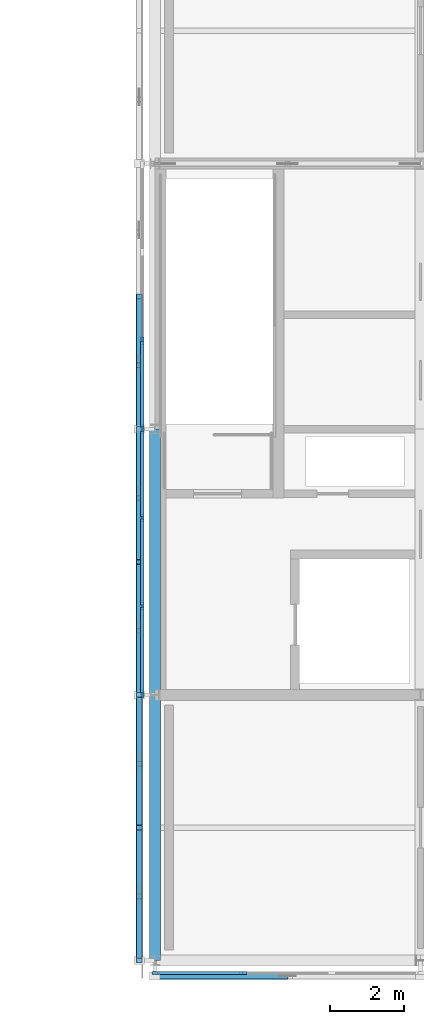
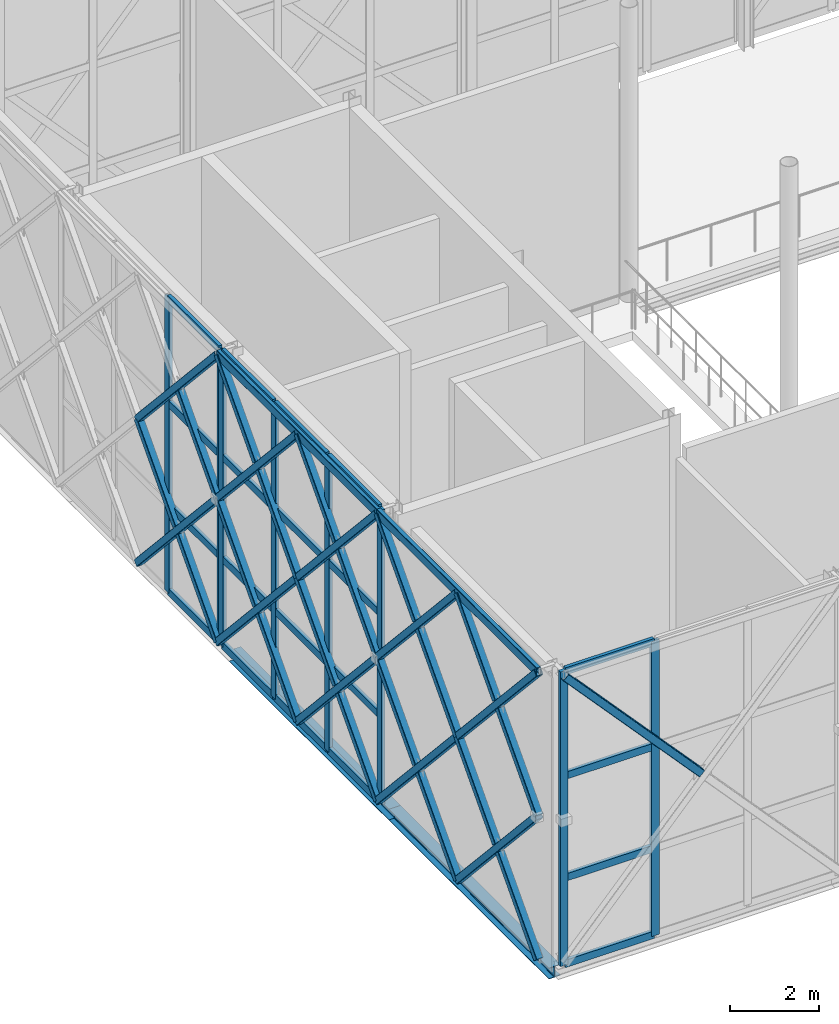
# One storey, part 8 of 76: 60 members, 2 beams, 3 elements without a shape of their own.
"""IFC4 building model written with IfcOpenShell, lengths in metres."""

from ifc_helpers import new_model, si_unit, direction, frame, origin, origin_2d, place, context, subcontext, project, spatial, rectangle, hollow_rectangle, i_section, extrude, material, material_profile, profile_set, type_object, element, aggregate, save


model = new_model("IFC4")

# Units and contexts
model_context = context("Model", 3, precision=1e-05, world=origin(), true_north=direction((0.0, 1.0)))
body_context = subcontext(model_context, "Body", "Model", "MODEL_VIEW")
ifc_project = project(units=[si_unit("LENGTHUNIT", "METRE"), si_unit("AREAUNIT", "SQUARE_METRE"), si_unit("VOLUMEUNIT", "CUBIC_METRE"), si_unit("PLANEANGLEUNIT", "RADIAN"), si_unit("MASSUNIT", "GRAM", prefix="KILO")], contexts=[model_context])

# Site, building, storey
site_placement = place(None, origin())
site = spatial("IfcSite", under=ifc_project, at=site_placement, CompositionType="ELEMENT")
building_placement = place(site_placement, origin())
building = spatial("IfcBuilding", under=site, at=building_placement, Name="Zlatovets Crest Museum", CompositionType="ELEMENT")
storey_placement = place(building_placement, frame((0.0, 0.0, 17.10009765625)))
storey = spatial("IfcBuildingStorey", under=building, at=storey_placement, Name="L04", CompositionType="ELEMENT", Elevation=17.10009765625)

# Beams
ifc_material_1 = material(Name="Structural steel S355J2", Category="steel")
ifc_material_profile_1 = material_profile(ifc_material_1, i_section(OverallWidth=0.300048828125, OverallDepth=0.31005859375, WebThickness=0.009033203125, FlangeThickness=0.015380859375, FilletRadius=0.027099609375, at=origin_2d()), Name="HEA 320")
ifc_profile_set_1 = profile_set([ifc_material_profile_1], Name="Structural steel S355J2")
beam_type = type_object("IfcBeamType", Name="Beam_B-04", PredefinedType="BEAM", material=ifc_profile_set_1)
for number, where, z_axis, x_axis, name in (
    (1, (57.60009765625, 0.0, -0.39501953125), (0.0, 1.0, 0.0), (-1.0, 0.0, 0.0), "V2 L04 Grid Beam B-04"),
    (2, (57.60009765625, 7.199951171875, -0.39501953125), (0.0, 1.0, 0.0), (-1.0, 0.0, 0.0), "V2 L04 Grid Beam B-04"),
):
    element("IfcBeam", number, at=place(storey_placement, frame(where, z_axis=z_axis, x_axis=x_axis)), inside=storey, type_object=beam_type, Name=name, PredefinedType="BEAM", context=body_context, shape_type="SweptSolid", body=[
        extrude(i_section(OverallWidth=0.300048828125, OverallDepth=0.31005859375, WebThickness=0.009033203125, FlangeThickness=0.015380859375, FilletRadius=0.027099609375, at=origin_2d()), origin(), (0.0, 0.0, 1.0), 7.199951171875),
    ])

# Curtain wall, members
ifc_material_2 = material(Name="Bronze-anodised aluminium and low-E triple glass", Category="aluminium")
curtain_wall_type_1 = type_object("IfcCurtainWallType", Name="CW_CW-V2-L04-M0", PredefinedType="NOTDEFINED", material=ifc_material_2)
curtain_wall_1_placement = place(storey_placement, origin())
curtain_wall_1 = element("IfcCurtainWall", 3, at=curtain_wall_1_placement, inside=storey, type_object=curtain_wall_type_1, Name="V2 L04 Secession Foyer Clear Curtain Wall", PredefinedType="NOTDEFINED")
ifc_material_3 = material(Name="Bronze-anodised aluminium EN AW-6060", Category="aluminium")
ifc_material_profile_2 = material_profile(ifc_material_3, rectangle(XDim=0.090087890625, YDim=0.199951171875, at=origin_2d()), Name="ALU 90x200")
ifc_profile_set_2 = profile_set([ifc_material_profile_2], Name="Bronze-anodised aluminium EN AW-6060")
member_type_1 = type_object("IfcMemberType", Name="CWMull_M2", PredefinedType="MULLION", material=ifc_profile_set_2)
member_1_placement = place(storey_placement, frame((57.6298828125, -0.340087890625, 0.0), z_axis=(0.0, 0.0, 1.0), x_axis=(0.0, 1.0, 0.0)))
member_1 = element("IfcMember", 4, at=member_1_placement, type_object=member_type_1, Name="CW-V2-L04-M0 mullion 1", PredefinedType="MULLION", context=body_context, shape_type="SweptSolid", body=[
    extrude(rectangle(XDim=0.090087890625, YDim=0.199951171875, at=origin_2d()), origin(), (0.0, 0.0, 1.0), 8.099853515625),
])
member_2_placement = place(storey_placement, frame((60.0, -0.340087890625, 0.0), z_axis=(0.0, 0.0, 1.0), x_axis=(0.0, 1.0, 0.0)))
member_2 = element("IfcMember", 5, at=member_2_placement, type_object=member_type_1, Name="CW-V2-L04-M0 mullion 2", PredefinedType="MULLION", context=body_context, shape_type="SweptSolid", body=[
    extrude(rectangle(XDim=0.090087890625, YDim=0.199951171875, at=origin_2d()), origin(), (0.0, 0.0, 1.0), 8.099853515625),
])

curtain_wall_type_2 = type_object("IfcCurtainWallType", Name="CW_CW-V2-L04-M3", PredefinedType="NOTDEFINED", material=ifc_material_2)
curtain_wall_2_placement = place(storey_placement, origin())
curtain_wall_2 = element("IfcCurtainWall", 6, at=curtain_wall_2_placement, inside=storey, type_object=curtain_wall_type_2, Name="V2 L04 Expressed Core Glazed Facade", PredefinedType="NOTDEFINED")
member_3_placement = place(storey_placement, frame((57.260009765625, 16.800048828125, 0.0), z_axis=(0.0, 0.0, 1.0), x_axis=(1.0, 0.0, 0.0)))
member_3 = element("IfcMember", 7, at=member_3_placement, type_object=member_type_1, Name="CW-V2-L04-M3 mullion 3", PredefinedType="MULLION", context=body_context, shape_type="SweptSolid", body=[
    extrude(rectangle(XDim=0.090087890625, YDim=0.199951171875, at=origin_2d()), origin(), (0.0, 0.0, 1.0), 8.099853515625),
])
member_4_placement = place(storey_placement, frame((57.260009765625, 14.429931640625, 0.0), z_axis=(0.0, 0.0, 1.0), x_axis=(1.0, 0.0, 0.0)))
member_4 = element("IfcMember", 8, at=member_4_placement, type_object=member_type_1, Name="CW-V2-L04-M3 mullion 4", PredefinedType="MULLION", context=body_context, shape_type="SweptSolid", body=[
    extrude(rectangle(XDim=0.090087890625, YDim=0.199951171875, at=origin_2d()), origin(), (0.0, 0.0, 1.0), 8.099853515625),
])

curtain_wall_3_placement = place(storey_placement, origin())
curtain_wall_3 = element("IfcCurtainWall", 9, at=curtain_wall_3_placement, inside=storey, type_object=curtain_wall_type_1, Name="V2 L04 Expressed Core Glazed Facade", PredefinedType="NOTDEFINED")
member_5_placement = place(storey_placement, frame((57.260009765625, 14.3701171875, 0.0), z_axis=(0.0, 0.0, 1.0), x_axis=(1.0, 0.0, 0.0)))
member_5 = element("IfcMember", 10, at=member_5_placement, type_object=member_type_1, Name="CW-V2-L04-M0 mullion 1", PredefinedType="MULLION", context=body_context, shape_type="SweptSolid", body=[
    extrude(rectangle(XDim=0.090087890625, YDim=0.199951171875, at=origin_2d()), origin(), (0.0, 0.0, 1.0), 8.099853515625),
])
member_6_placement = place(storey_placement, frame((57.260009765625, 12.0, 0.0), z_axis=(0.0, 0.0, 1.0), x_axis=(1.0, 0.0, 0.0)))
member_6 = element("IfcMember", 11, at=member_6_placement, type_object=member_type_1, Name="CW-V2-L04-M0 mullion 2", PredefinedType="MULLION", context=body_context, shape_type="SweptSolid", body=[
    extrude(rectangle(XDim=0.090087890625, YDim=0.199951171875, at=origin_2d()), origin(), (0.0, 0.0, 1.0), 8.099853515625),
])
member_7_placement = place(storey_placement, frame((57.260009765625, 9.60009765625, 0.0), z_axis=(0.0, 0.0, 1.0), x_axis=(1.0, 0.0, 0.0)))
member_7 = element("IfcMember", 12, at=member_7_placement, type_object=member_type_1, Name="CW-V2-L04-M0 mullion 3", PredefinedType="MULLION", context=body_context, shape_type="SweptSolid", body=[
    extrude(rectangle(XDim=0.090087890625, YDim=0.199951171875, at=origin_2d()), origin(), (0.0, 0.0, 1.0), 8.099853515625),
])
member_8_placement = place(storey_placement, frame((57.260009765625, 7.22998046875, 0.0), z_axis=(0.0, 0.0, 1.0), x_axis=(1.0, 0.0, 0.0)))
member_8 = element("IfcMember", 13, at=member_8_placement, type_object=member_type_1, Name="CW-V2-L04-M0 mullion 4", PredefinedType="MULLION", context=body_context, shape_type="SweptSolid", body=[
    extrude(rectangle(XDim=0.090087890625, YDim=0.199951171875, at=origin_2d()), origin(), (0.0, 0.0, 1.0), 8.099853515625),
])

# Member
ifc_material_profile_3 = material_profile(ifc_material_3, rectangle(XDim=0.090087890625, YDim=0.199951171875, at=origin_2d()), Name="ALU 90x200")
ifc_profile_set_3 = profile_set([ifc_material_profile_3], Name="Bronze-anodised aluminium EN AW-6060")
member_type_2 = type_object("IfcMemberType", Name="CWTrans_T2", PredefinedType="USERDEFINED", material=ifc_profile_set_3)
member_9_placement = place(storey_placement, frame((57.659912109375, -0.340087890625, 0.02978515625), z_axis=(1.0, 0.0, 0.0), x_axis=(0.0, 1.0, 0.0)))
member_9 = element("IfcMember", 14, at=member_9_placement, type_object=member_type_2, Name="CW-V2-L04-M0 transom 1.1", ObjectType="TRANSOM", PredefinedType="USERDEFINED", context=body_context, shape_type="SweptSolid", body=[
    extrude(rectangle(XDim=0.090087890625, YDim=0.199951171875, at=origin_2d()), origin(), (0.0, 0.0, 1.0), 2.31005859375),
])

member_10_placement = place(storey_placement, frame((57.659912109375, -0.340087890625, 2.39990234375), z_axis=(1.0, 0.0, 0.0), x_axis=(0.0, 1.0, 0.0)))
member_10 = element("IfcMember", 15, at=member_10_placement, type_object=member_type_2, Name="CW-V2-L04-M0 transom 1.2", ObjectType="TRANSOM", PredefinedType="USERDEFINED", context=body_context, shape_type="SweptSolid", body=[
    extrude(rectangle(XDim=0.090087890625, YDim=0.199951171875, at=origin_2d()), origin(), (0.0, 0.0, 1.0), 2.31005859375),
])

member_11_placement = place(storey_placement, frame((57.659912109375, -0.340087890625, 5.199951171875), z_axis=(1.0, 0.0, 0.0), x_axis=(0.0, 1.0, 0.0)))
member_11 = element("IfcMember", 16, at=member_11_placement, type_object=member_type_2, Name="CW-V2-L04-M0 transom 1.3", ObjectType="TRANSOM", PredefinedType="USERDEFINED", context=body_context, shape_type="SweptSolid", body=[
    extrude(rectangle(XDim=0.090087890625, YDim=0.199951171875, at=origin_2d()), origin(), (0.0, 0.0, 1.0), 2.31005859375),
])

member_12_placement = place(storey_placement, frame((57.659912109375, -0.340087890625, 8.06982421875), z_axis=(1.0, 0.0, 0.0), x_axis=(0.0, 1.0, 0.0)))
member_12 = element("IfcMember", 17, at=member_12_placement, type_object=member_type_2, Name="CW-V2-L04-M0 transom 1.4", ObjectType="TRANSOM", PredefinedType="USERDEFINED", context=body_context, shape_type="SweptSolid", body=[
    extrude(rectangle(XDim=0.090087890625, YDim=0.199951171875, at=origin_2d()), origin(), (0.0, 0.0, 1.0), 2.31005859375),
])

aggregate(curtain_wall_1, [member_1, member_2, member_9, member_10, member_11, member_12])

member_13_placement = place(storey_placement, frame((57.260009765625, 16.77001953125, 0.02978515625), z_axis=(0.0, -1.0, 0.0), x_axis=(1.0, 0.0, 0.0)))
member_13 = element("IfcMember", 18, at=member_13_placement, type_object=member_type_2, Name="CW-V2-L04-M3 transom 3.1", ObjectType="TRANSOM", PredefinedType="USERDEFINED", context=body_context, shape_type="SweptSolid", body=[
    extrude(rectangle(XDim=0.090087890625, YDim=0.199951171875, at=origin_2d()), origin(), (0.0, 0.0, 1.0), 2.31005859375),
])

member_14_placement = place(storey_placement, frame((57.260009765625, 16.77001953125, 2.39990234375), z_axis=(0.0, -1.0, 0.0), x_axis=(1.0, 0.0, 0.0)))
member_14 = element("IfcMember", 19, at=member_14_placement, type_object=member_type_2, Name="CW-V2-L04-M3 transom 3.2", ObjectType="TRANSOM", PredefinedType="USERDEFINED", context=body_context, shape_type="SweptSolid", body=[
    extrude(rectangle(XDim=0.090087890625, YDim=0.199951171875, at=origin_2d()), origin(), (0.0, 0.0, 1.0), 2.31005859375),
])

member_15_placement = place(storey_placement, frame((57.260009765625, 16.77001953125, 5.199951171875), z_axis=(0.0, -1.0, 0.0), x_axis=(1.0, 0.0, 0.0)))
member_15 = element("IfcMember", 20, at=member_15_placement, type_object=member_type_2, Name="CW-V2-L04-M3 transom 3.3", ObjectType="TRANSOM", PredefinedType="USERDEFINED", context=body_context, shape_type="SweptSolid", body=[
    extrude(rectangle(XDim=0.090087890625, YDim=0.199951171875, at=origin_2d()), origin(), (0.0, 0.0, 1.0), 2.31005859375),
])

member_16_placement = place(storey_placement, frame((57.260009765625, 16.77001953125, 8.06982421875), z_axis=(0.0, -1.0, 0.0), x_axis=(1.0, 0.0, 0.0)))
member_16 = element("IfcMember", 21, at=member_16_placement, type_object=member_type_2, Name="CW-V2-L04-M3 transom 3.4", ObjectType="TRANSOM", PredefinedType="USERDEFINED", context=body_context, shape_type="SweptSolid", body=[
    extrude(rectangle(XDim=0.090087890625, YDim=0.199951171875, at=origin_2d()), origin(), (0.0, 0.0, 1.0), 2.31005859375),
])

aggregate(curtain_wall_2, [member_3, member_4, member_13, member_14, member_15, member_16])

member_17_placement = place(storey_placement, frame((57.260009765625, 14.340087890625, 0.02978515625), z_axis=(0.0, -1.0, 0.0), x_axis=(1.0, 0.0, 0.0)))
member_17 = element("IfcMember", 22, at=member_17_placement, type_object=member_type_2, Name="CW-V2-L04-M0 transom 1.1", ObjectType="TRANSOM", PredefinedType="USERDEFINED", context=body_context, shape_type="SweptSolid", body=[
    extrude(rectangle(XDim=0.090087890625, YDim=0.199951171875, at=origin_2d()), origin(), (0.0, 0.0, 1.0), 2.31005859375),
])

member_18_placement = place(storey_placement, frame((57.260009765625, 14.340087890625, 2.39990234375), z_axis=(0.0, -1.0, 0.0), x_axis=(1.0, 0.0, 0.0)))
member_18 = element("IfcMember", 23, at=member_18_placement, type_object=member_type_2, Name="CW-V2-L04-M0 transom 1.2", ObjectType="TRANSOM", PredefinedType="USERDEFINED", context=body_context, shape_type="SweptSolid", body=[
    extrude(rectangle(XDim=0.090087890625, YDim=0.199951171875, at=origin_2d()), origin(), (0.0, 0.0, 1.0), 2.31005859375),
])

member_19_placement = place(storey_placement, frame((57.260009765625, 14.340087890625, 5.199951171875), z_axis=(0.0, -1.0, 0.0), x_axis=(1.0, 0.0, 0.0)))
member_19 = element("IfcMember", 24, at=member_19_placement, type_object=member_type_2, Name="CW-V2-L04-M0 transom 1.3", ObjectType="TRANSOM", PredefinedType="USERDEFINED", context=body_context, shape_type="SweptSolid", body=[
    extrude(rectangle(XDim=0.090087890625, YDim=0.199951171875, at=origin_2d()), origin(), (0.0, 0.0, 1.0), 2.31005859375),
])

member_20_placement = place(storey_placement, frame((57.260009765625, 14.340087890625, 8.06982421875), z_axis=(0.0, -1.0, 0.0), x_axis=(1.0, 0.0, 0.0)))
member_20 = element("IfcMember", 25, at=member_20_placement, type_object=member_type_2, Name="CW-V2-L04-M0 transom 1.4", ObjectType="TRANSOM", PredefinedType="USERDEFINED", context=body_context, shape_type="SweptSolid", body=[
    extrude(rectangle(XDim=0.090087890625, YDim=0.199951171875, at=origin_2d()), origin(), (0.0, 0.0, 1.0), 2.31005859375),
])

member_21_placement = place(storey_placement, frame((57.260009765625, 11.969970703125, 0.02978515625), z_axis=(0.0, -1.0, 0.0), x_axis=(1.0, 0.0, 0.0)))
member_21 = element("IfcMember", 26, at=member_21_placement, type_object=member_type_2, Name="CW-V2-L04-M0 transom 2.1", ObjectType="TRANSOM", PredefinedType="USERDEFINED", context=body_context, shape_type="SweptSolid", body=[
    extrude(rectangle(XDim=0.090087890625, YDim=0.199951171875, at=origin_2d()), origin(), (0.0, 0.0, 1.0), 2.340087890625),
])

member_22_placement = place(storey_placement, frame((57.260009765625, 11.969970703125, 2.39990234375), z_axis=(0.0, -1.0, 0.0), x_axis=(1.0, 0.0, 0.0)))
member_22 = element("IfcMember", 27, at=member_22_placement, type_object=member_type_2, Name="CW-V2-L04-M0 transom 2.2", ObjectType="TRANSOM", PredefinedType="USERDEFINED", context=body_context, shape_type="SweptSolid", body=[
    extrude(rectangle(XDim=0.090087890625, YDim=0.199951171875, at=origin_2d()), origin(), (0.0, 0.0, 1.0), 2.340087890625),
])

member_23_placement = place(storey_placement, frame((57.260009765625, 11.969970703125, 5.199951171875), z_axis=(0.0, -1.0, 0.0), x_axis=(1.0, 0.0, 0.0)))
member_23 = element("IfcMember", 28, at=member_23_placement, type_object=member_type_2, Name="CW-V2-L04-M0 transom 2.3", ObjectType="TRANSOM", PredefinedType="USERDEFINED", context=body_context, shape_type="SweptSolid", body=[
    extrude(rectangle(XDim=0.090087890625, YDim=0.199951171875, at=origin_2d()), origin(), (0.0, 0.0, 1.0), 2.340087890625),
])

member_24_placement = place(storey_placement, frame((57.260009765625, 11.969970703125, 8.06982421875), z_axis=(0.0, -1.0, 0.0), x_axis=(1.0, 0.0, 0.0)))
member_24 = element("IfcMember", 29, at=member_24_placement, type_object=member_type_2, Name="CW-V2-L04-M0 transom 2.4", ObjectType="TRANSOM", PredefinedType="USERDEFINED", context=body_context, shape_type="SweptSolid", body=[
    extrude(rectangle(XDim=0.090087890625, YDim=0.199951171875, at=origin_2d()), origin(), (0.0, 0.0, 1.0), 2.340087890625),
])

member_25_placement = place(storey_placement, frame((57.260009765625, 9.570068359375, 0.02978515625), z_axis=(0.0, -1.0, 0.0), x_axis=(1.0, 0.0, 0.0)))
member_25 = element("IfcMember", 30, at=member_25_placement, type_object=member_type_2, Name="CW-V2-L04-M0 transom 3.1", ObjectType="TRANSOM", PredefinedType="USERDEFINED", context=body_context, shape_type="SweptSolid", body=[
    extrude(rectangle(XDim=0.090087890625, YDim=0.199951171875, at=origin_2d()), origin(), (0.0, 0.0, 1.0), 2.31005859375),
])

member_26_placement = place(storey_placement, frame((57.260009765625, 9.570068359375, 2.39990234375), z_axis=(0.0, -1.0, 0.0), x_axis=(1.0, 0.0, 0.0)))
member_26 = element("IfcMember", 31, at=member_26_placement, type_object=member_type_2, Name="CW-V2-L04-M0 transom 3.2", ObjectType="TRANSOM", PredefinedType="USERDEFINED", context=body_context, shape_type="SweptSolid", body=[
    extrude(rectangle(XDim=0.090087890625, YDim=0.199951171875, at=origin_2d()), origin(), (0.0, 0.0, 1.0), 2.31005859375),
])

member_27_placement = place(storey_placement, frame((57.260009765625, 9.570068359375, 5.199951171875), z_axis=(0.0, -1.0, 0.0), x_axis=(1.0, 0.0, 0.0)))
member_27 = element("IfcMember", 32, at=member_27_placement, type_object=member_type_2, Name="CW-V2-L04-M0 transom 3.3", ObjectType="TRANSOM", PredefinedType="USERDEFINED", context=body_context, shape_type="SweptSolid", body=[
    extrude(rectangle(XDim=0.090087890625, YDim=0.199951171875, at=origin_2d()), origin(), (0.0, 0.0, 1.0), 2.31005859375),
])

member_28_placement = place(storey_placement, frame((57.260009765625, 9.570068359375, 8.06982421875), z_axis=(0.0, -1.0, 0.0), x_axis=(1.0, 0.0, 0.0)))
member_28 = element("IfcMember", 33, at=member_28_placement, type_object=member_type_2, Name="CW-V2-L04-M0 transom 3.4", ObjectType="TRANSOM", PredefinedType="USERDEFINED", context=body_context, shape_type="SweptSolid", body=[
    extrude(rectangle(XDim=0.090087890625, YDim=0.199951171875, at=origin_2d()), origin(), (0.0, 0.0, 1.0), 2.31005859375),
])

aggregate(curtain_wall_3, [member_5, member_6, member_7, member_8, member_17, member_18, member_19, member_20, member_21, member_22, member_23, member_24, member_25, member_26, member_27, member_28])

# Members
ifc_material_4 = material(Name="Weathering bronze-steel S355J2W", Category="steel")
ifc_material_profile_4 = material_profile(ifc_material_4, hollow_rectangle(XDim=0.179931640625, YDim=0.179931640625, WallThickness=0.010009765625, InnerFilletRadius=0.010009765625, OuterFilletRadius=0.02001953125, at=origin_2d()), Name="SHS 180x180x10.0")
ifc_profile_set_4 = profile_set([ifc_material_profile_4], Name="Weathering bronze-steel S355J2W")
member_type_3 = type_object("IfcMemberType", Name="Lattice_XL-01", PredefinedType="BRACE", material=ifc_profile_set_4)
member_29_placement = place(storey_placement, frame((57.179931640625, 18.0, 0.099853515625), z_axis=(0.0, -0.673618118362, 0.739079583411), x_axis=(1.0, 0.0, 0.0)))
element("IfcMember", 34, at=member_29_placement, inside=storey, type_object=member_type_3, Name="Continuous Bronze Lattice Diagonal", PredefinedType="BRACE", context=body_context, shape_type="SweptSolid", body=[
    extrude(hollow_rectangle(XDim=0.179931640625, YDim=0.179931640625, WallThickness=0.010009765625, InnerFilletRadius=0.010009765625, OuterFilletRadius=0.02001953125, at=origin_2d()), origin(), (0.0, 0.0, 1.0), 5.344482421875),
])
for number, where, z_axis, x_axis, name in (
    (35, (57.179931640625, 18.0, 4.0498046875), (0.0, -0.673619963761, -0.739077901457), (1.0, 0.0, 0.0), "Split Crossing Bronze Lattice Diagonal Upper"),
    (36, (57.179931640625, 16.135986328125, 2.004638671875), (0.0, -0.673619963761, -0.739077901457), (1.0, 0.0, 0.0), "Split Crossing Bronze Lattice Diagonal Lower"),
):
    element("IfcMember", number, at=place(storey_placement, frame(where, z_axis=z_axis, x_axis=x_axis)), inside=storey, type_object=member_type_3, Name=name, PredefinedType="BRACE", context=body_context, shape_type="SweptSolid", body=[
        extrude(hollow_rectangle(XDim=0.179931640625, YDim=0.179931640625, WallThickness=0.010009765625, InnerFilletRadius=0.010009765625, OuterFilletRadius=0.02001953125, at=origin_2d()), origin(), (0.0, 0.0, 1.0), 2.5771484375),
    ])
member_30_placement = place(storey_placement, frame((57.179931640625, 18.0, 4.0498046875), z_axis=(0.0, -0.673595375981, 0.739100310822), x_axis=(1.0, 0.0, 0.0)))
element("IfcMember", 37, at=member_30_placement, inside=storey, type_object=member_type_3, Name="Continuous Bronze Lattice Diagonal", PredefinedType="BRACE", context=body_context, shape_type="SweptSolid", body=[
    extrude(hollow_rectangle(XDim=0.179931640625, YDim=0.179931640625, WallThickness=0.010009765625, InnerFilletRadius=0.010009765625, OuterFilletRadius=0.02001953125, at=origin_2d()), origin(), (0.0, 0.0, 1.0), 5.344482421875),
])
member_31_placement = place(storey_placement, frame((57.179931640625, 16.135986328125, 5.95458984375), z_axis=(0.0, -0.673619963761, -0.739077901457), x_axis=(1.0, 0.0, 0.0)))
element("IfcMember", 38, at=member_31_placement, inside=storey, type_object=member_type_3, Name="Split Crossing Bronze Lattice Diagonal Lower", PredefinedType="BRACE", context=body_context, shape_type="SweptSolid", body=[
    extrude(hollow_rectangle(XDim=0.179931640625, YDim=0.179931640625, WallThickness=0.010009765625, InnerFilletRadius=0.010009765625, OuterFilletRadius=0.02001953125, at=origin_2d()), origin(), (0.0, 0.0, 1.0), 2.5771484375),
])
member_32_placement = place(storey_placement, frame((57.179931640625, 14.39990234375, 0.099853515625), z_axis=(0.0, -0.673593164257, 0.739102326519), x_axis=(1.0, 0.0, 0.0)))
element("IfcMember", 39, at=member_32_placement, inside=storey, type_object=member_type_3, Name="Continuous Bronze Lattice Diagonal", PredefinedType="BRACE", context=body_context, shape_type="SweptSolid", body=[
    extrude(hollow_rectangle(XDim=0.179931640625, YDim=0.179931640625, WallThickness=0.010009765625, InnerFilletRadius=0.010009765625, OuterFilletRadius=0.02001953125, at=origin_2d()), origin(), (0.0, 0.0, 1.0), 5.34423828125),
])
for number, where, z_axis, x_axis, name in (
    (40, (57.179931640625, 14.39990234375, 4.0498046875), (0.0, -0.673568214247, -0.739125064354), (1.0, 0.0, 0.0), "Split Crossing Bronze Lattice Diagonal Upper"),
    (41, (57.179931640625, 12.535888671875, 2.004638671875), (0.0, -0.673568214247, -0.739125064354), (1.0, 0.0, 0.0), "Split Crossing Bronze Lattice Diagonal Lower"),
):
    element("IfcMember", number, at=place(storey_placement, frame(where, z_axis=z_axis, x_axis=x_axis)), inside=storey, type_object=member_type_3, Name=name, PredefinedType="BRACE", context=body_context, shape_type="SweptSolid", body=[
        extrude(hollow_rectangle(XDim=0.179931640625, YDim=0.179931640625, WallThickness=0.010009765625, InnerFilletRadius=0.010009765625, OuterFilletRadius=0.02001953125, at=origin_2d()), origin(), (0.0, 0.0, 1.0), 2.5771484375),
    ])
member_33_placement = place(storey_placement, frame((57.179931640625, 10.800048828125, 0.099853515625), z_axis=(0.0, -0.673618118362, 0.739079583411), x_axis=(1.0, 0.0, 0.0)))
element("IfcMember", 42, at=member_33_placement, inside=storey, type_object=member_type_3, Name="Continuous Bronze Lattice Diagonal", PredefinedType="BRACE", context=body_context, shape_type="SweptSolid", body=[
    extrude(hollow_rectangle(XDim=0.179931640625, YDim=0.179931640625, WallThickness=0.010009765625, InnerFilletRadius=0.010009765625, OuterFilletRadius=0.02001953125, at=origin_2d()), origin(), (0.0, 0.0, 1.0), 5.344482421875),
])
for number, where, z_axis, x_axis, name in (
    (43, (57.179931640625, 10.800048828125, 4.0498046875), (0.0, -0.673619963761, -0.739077901457), (1.0, 0.0, 0.0), "Split Crossing Bronze Lattice Diagonal Upper"),
    (44, (57.179931640625, 8.93603515625, 2.004638671875), (0.0, -0.673619963761, -0.739077901457), (1.0, 0.0, 0.0), "Split Crossing Bronze Lattice Diagonal Lower"),
):
    element("IfcMember", number, at=place(storey_placement, frame(where, z_axis=z_axis, x_axis=x_axis)), inside=storey, type_object=member_type_3, Name=name, PredefinedType="BRACE", context=body_context, shape_type="SweptSolid", body=[
        extrude(hollow_rectangle(XDim=0.179931640625, YDim=0.179931640625, WallThickness=0.010009765625, InnerFilletRadius=0.010009765625, OuterFilletRadius=0.02001953125, at=origin_2d()), origin(), (0.0, 0.0, 1.0), 2.5771484375),
    ])
member_34_placement = place(storey_placement, frame((57.179931640625, 14.39990234375, 4.0498046875), z_axis=(0.0, -0.67357042132, 0.739123053032), x_axis=(1.0, 0.0, 0.0)))
element("IfcMember", 45, at=member_34_placement, inside=storey, type_object=member_type_3, Name="Continuous Bronze Lattice Diagonal", PredefinedType="BRACE", context=body_context, shape_type="SweptSolid", body=[
    extrude(hollow_rectangle(XDim=0.179931640625, YDim=0.179931640625, WallThickness=0.010009765625, InnerFilletRadius=0.010009765625, OuterFilletRadius=0.02001953125, at=origin_2d()), origin(), (0.0, 0.0, 1.0), 5.344482421875),
])
for number, where, z_axis, x_axis, name in (
    (46, (57.179931640625, 14.39990234375, 8.0), (0.0, -0.673568214247, -0.739125064354), (1.0, 0.0, 0.0), "Split Crossing Bronze Lattice Diagonal Upper"),
    (47, (57.179931640625, 12.535888671875, 5.95458984375), (0.0, -0.673568214247, -0.739125064354), (1.0, 0.0, 0.0), "Split Crossing Bronze Lattice Diagonal Lower"),
):
    element("IfcMember", number, at=place(storey_placement, frame(where, z_axis=z_axis, x_axis=x_axis)), inside=storey, type_object=member_type_3, Name=name, PredefinedType="BRACE", context=body_context, shape_type="SweptSolid", body=[
        extrude(hollow_rectangle(XDim=0.179931640625, YDim=0.179931640625, WallThickness=0.010009765625, InnerFilletRadius=0.010009765625, OuterFilletRadius=0.02001953125, at=origin_2d()), origin(), (0.0, 0.0, 1.0), 2.5771484375),
    ])
member_35_placement = place(storey_placement, frame((57.179931640625, 10.800048828125, 4.0498046875), z_axis=(0.0, -0.673595375981, 0.739100310822), x_axis=(1.0, 0.0, 0.0)))
element("IfcMember", 48, at=member_35_placement, inside=storey, type_object=member_type_3, Name="Continuous Bronze Lattice Diagonal", PredefinedType="BRACE", context=body_context, shape_type="SweptSolid", body=[
    extrude(hollow_rectangle(XDim=0.179931640625, YDim=0.179931640625, WallThickness=0.010009765625, InnerFilletRadius=0.010009765625, OuterFilletRadius=0.02001953125, at=origin_2d()), origin(), (0.0, 0.0, 1.0), 5.344482421875),
])
for number, where, z_axis, x_axis, name in (
    (49, (57.179931640625, 10.800048828125, 8.0), (0.0, -0.673619963761, -0.739077901457), (1.0, 0.0, 0.0), "Split Crossing Bronze Lattice Diagonal Upper"),
    (50, (57.179931640625, 8.93603515625, 5.95458984375), (0.0, -0.673619963761, -0.739077901457), (1.0, 0.0, 0.0), "Split Crossing Bronze Lattice Diagonal Lower"),
):
    element("IfcMember", number, at=place(storey_placement, frame(where, z_axis=z_axis, x_axis=x_axis)), inside=storey, type_object=member_type_3, Name=name, PredefinedType="BRACE", context=body_context, shape_type="SweptSolid", body=[
        extrude(hollow_rectangle(XDim=0.179931640625, YDim=0.179931640625, WallThickness=0.010009765625, InnerFilletRadius=0.010009765625, OuterFilletRadius=0.02001953125, at=origin_2d()), origin(), (0.0, 0.0, 1.0), 2.5771484375),
    ])
member_36_placement = place(storey_placement, frame((57.179931640625, 7.199951171875, 0.099853515625), z_axis=(0.0, -0.673593164257, 0.739102326519), x_axis=(1.0, 0.0, 0.0)))
element("IfcMember", 51, at=member_36_placement, inside=storey, type_object=member_type_3, Name="Continuous Bronze Lattice Diagonal", PredefinedType="BRACE", context=body_context, shape_type="SweptSolid", body=[
    extrude(hollow_rectangle(XDim=0.179931640625, YDim=0.179931640625, WallThickness=0.010009765625, InnerFilletRadius=0.010009765625, OuterFilletRadius=0.02001953125, at=origin_2d()), origin(), (0.0, 0.0, 1.0), 5.34423828125),
])
for number, where, z_axis, x_axis, name in (
    (52, (57.179931640625, 7.199951171875, 4.0498046875), (0.0, -0.673568214247, -0.739125064354), (1.0, 0.0, 0.0), "Split Crossing Bronze Lattice Diagonal Upper"),
    (53, (57.179931640625, 5.3359375, 2.004638671875), (0.0, -0.673568214247, -0.739125064354), (1.0, 0.0, 0.0), "Split Crossing Bronze Lattice Diagonal Lower"),
):
    element("IfcMember", number, at=place(storey_placement, frame(where, z_axis=z_axis, x_axis=x_axis)), inside=storey, type_object=member_type_3, Name=name, PredefinedType="BRACE", context=body_context, shape_type="SweptSolid", body=[
        extrude(hollow_rectangle(XDim=0.179931640625, YDim=0.179931640625, WallThickness=0.010009765625, InnerFilletRadius=0.010009765625, OuterFilletRadius=0.02001953125, at=origin_2d()), origin(), (0.0, 0.0, 1.0), 2.5771484375),
    ])
member_37_placement = place(storey_placement, frame((57.179931640625, 3.60009765625, 0.099853515625), z_axis=(0.0, -0.673618118362, 0.739079583411), x_axis=(1.0, 0.0, 0.0)))
element("IfcMember", 54, at=member_37_placement, inside=storey, type_object=member_type_3, Name="Continuous Bronze Lattice Diagonal", PredefinedType="BRACE", context=body_context, shape_type="SweptSolid", body=[
    extrude(hollow_rectangle(XDim=0.179931640625, YDim=0.179931640625, WallThickness=0.010009765625, InnerFilletRadius=0.010009765625, OuterFilletRadius=0.02001953125, at=origin_2d()), origin(), (0.0, 0.0, 1.0), 5.344482421875),
])
for number, where, z_axis, x_axis, name in (
    (55, (57.179931640625, 3.60009765625, 4.0498046875), (0.0, -0.673619963761, -0.739077901457), (1.0, 0.0, 0.0), "Split Crossing Bronze Lattice Diagonal Upper"),
    (56, (57.179931640625, 1.736083984375, 2.004638671875), (0.0, -0.673619963761, -0.739077901457), (1.0, 0.0, 0.0), "Split Crossing Bronze Lattice Diagonal Lower"),
):
    element("IfcMember", number, at=place(storey_placement, frame(where, z_axis=z_axis, x_axis=x_axis)), inside=storey, type_object=member_type_3, Name=name, PredefinedType="BRACE", context=body_context, shape_type="SweptSolid", body=[
        extrude(hollow_rectangle(XDim=0.179931640625, YDim=0.179931640625, WallThickness=0.010009765625, InnerFilletRadius=0.010009765625, OuterFilletRadius=0.02001953125, at=origin_2d()), origin(), (0.0, 0.0, 1.0), 2.5771484375),
    ])
member_38_placement = place(storey_placement, frame((57.179931640625, 7.199951171875, 4.0498046875), z_axis=(0.0, -0.67357042132, 0.739123053032), x_axis=(1.0, 0.0, 0.0)))
element("IfcMember", 57, at=member_38_placement, inside=storey, type_object=member_type_3, Name="Continuous Bronze Lattice Diagonal", PredefinedType="BRACE", context=body_context, shape_type="SweptSolid", body=[
    extrude(hollow_rectangle(XDim=0.179931640625, YDim=0.179931640625, WallThickness=0.010009765625, InnerFilletRadius=0.010009765625, OuterFilletRadius=0.02001953125, at=origin_2d()), origin(), (0.0, 0.0, 1.0), 5.344482421875),
])
for number, where, z_axis, x_axis, name in (
    (58, (57.179931640625, 7.199951171875, 8.0), (0.0, -0.673568214247, -0.739125064354), (1.0, 0.0, 0.0), "Split Crossing Bronze Lattice Diagonal Upper"),
    (59, (57.179931640625, 5.3359375, 5.95458984375), (0.0, -0.673568214247, -0.739125064354), (1.0, 0.0, 0.0), "Split Crossing Bronze Lattice Diagonal Lower"),
):
    element("IfcMember", number, at=place(storey_placement, frame(where, z_axis=z_axis, x_axis=x_axis)), inside=storey, type_object=member_type_3, Name=name, PredefinedType="BRACE", context=body_context, shape_type="SweptSolid", body=[
        extrude(hollow_rectangle(XDim=0.179931640625, YDim=0.179931640625, WallThickness=0.010009765625, InnerFilletRadius=0.010009765625, OuterFilletRadius=0.02001953125, at=origin_2d()), origin(), (0.0, 0.0, 1.0), 2.5771484375),
    ])
member_39_placement = place(storey_placement, frame((57.179931640625, 3.60009765625, 4.0498046875), z_axis=(0.0, -0.673595375981, 0.739100310822), x_axis=(1.0, 0.0, 0.0)))
element("IfcMember", 60, at=member_39_placement, inside=storey, type_object=member_type_3, Name="Continuous Bronze Lattice Diagonal", PredefinedType="BRACE", context=body_context, shape_type="SweptSolid", body=[
    extrude(hollow_rectangle(XDim=0.179931640625, YDim=0.179931640625, WallThickness=0.010009765625, InnerFilletRadius=0.010009765625, OuterFilletRadius=0.02001953125, at=origin_2d()), origin(), (0.0, 0.0, 1.0), 5.344482421875),
])
for number, where, z_axis, x_axis, name in (
    (61, (57.179931640625, 3.60009765625, 8.0), (0.0, -0.673619963761, -0.739077901457), (1.0, 0.0, 0.0), "Split Crossing Bronze Lattice Diagonal Upper"),
    (62, (57.179931640625, 1.736083984375, 5.95458984375), (0.0, -0.673619963761, -0.739077901457), (1.0, 0.0, 0.0), "Split Crossing Bronze Lattice Diagonal Lower"),
):
    element("IfcMember", number, at=place(storey_placement, frame(where, z_axis=z_axis, x_axis=x_axis)), inside=storey, type_object=member_type_3, Name=name, PredefinedType="BRACE", context=body_context, shape_type="SweptSolid", body=[
        extrude(hollow_rectangle(XDim=0.179931640625, YDim=0.179931640625, WallThickness=0.010009765625, InnerFilletRadius=0.010009765625, OuterFilletRadius=0.02001953125, at=origin_2d()), origin(), (0.0, 0.0, 1.0), 2.5771484375),
    ])
ifc_material_profile_5 = material_profile(ifc_material_4, hollow_rectangle(XDim=0.199951171875, YDim=0.199951171875, WallThickness=0.012451171875, InnerFilletRadius=0.012451171875, OuterFilletRadius=0.02490234375, at=origin_2d()), Name="SHS 200x200x12.5")
ifc_profile_set_5 = profile_set([ifc_material_profile_5], Name="Weathering bronze-steel S355J2W")
member_type_4 = type_object("IfcMemberType", Name="Lattice_XL-02", PredefinedType="BRACE", material=ifc_profile_set_5)
member_40_placement = place(storey_placement, frame((57.60009765625, -0.419921875, 8.0), z_axis=(0.673582041572, 0.0, -0.73911246321), x_axis=(0.0, 1.0, 0.0)))
element("IfcMember", 63, at=member_40_placement, inside=storey, type_object=member_type_4, Name="Split Crossing Bronze Lattice Diagonal Upper", PredefinedType="BRACE", context=body_context, shape_type="SweptSolid", body=[
    extrude(hollow_rectangle(XDim=0.199951171875, YDim=0.199951171875, WallThickness=0.012451171875, InnerFilletRadius=0.012451171875, OuterFilletRadius=0.02490234375, at=origin_2d()), origin(), (0.0, 0.0, 1.0), 5.249267578125),
])
ifc_material_profile_6 = material_profile(ifc_material_4, hollow_rectangle(XDim=0.1201171875, YDim=0.239990234375, WallThickness=0.010009765625, InnerFilletRadius=0.010009765625, OuterFilletRadius=0.02001953125, at=origin_2d()), Name="RHS 120x240x10.0")
ifc_profile_set_6 = profile_set([ifc_material_profile_6], Name="Weathering bronze-steel S355J2W")
member_type_5 = type_object("IfcMemberType", Name="Lattice_XL-04", PredefinedType="CHORD", material=ifc_profile_set_6)
for number, where, z_axis, x_axis, name in (
    (64, (57.179931640625, 14.39990234375, 8.0), (0.0, -1.0, 0.0), (1.0, 0.0, 0.0), "Art Nouveau Woven Cage Collector Ring Chord"),
    (65, (57.179931640625, 7.199951171875, 8.0), (0.0, -1.0, 0.0), (1.0, 0.0, 0.0), "Art Nouveau Woven Cage Collector Ring Chord"),
):
    element("IfcMember", number, at=place(storey_placement, frame(where, z_axis=z_axis, x_axis=x_axis)), inside=storey, type_object=member_type_5, Name=name, PredefinedType="CHORD", context=body_context, shape_type="SweptSolid", body=[
        extrude(hollow_rectangle(XDim=0.1201171875, YDim=0.239990234375, WallThickness=0.010009765625, InnerFilletRadius=0.010009765625, OuterFilletRadius=0.02001953125, at=origin_2d()), origin(), (0.0, 0.0, 1.0), 7.199951171875),
    ])

save(model, "model.ifc")
